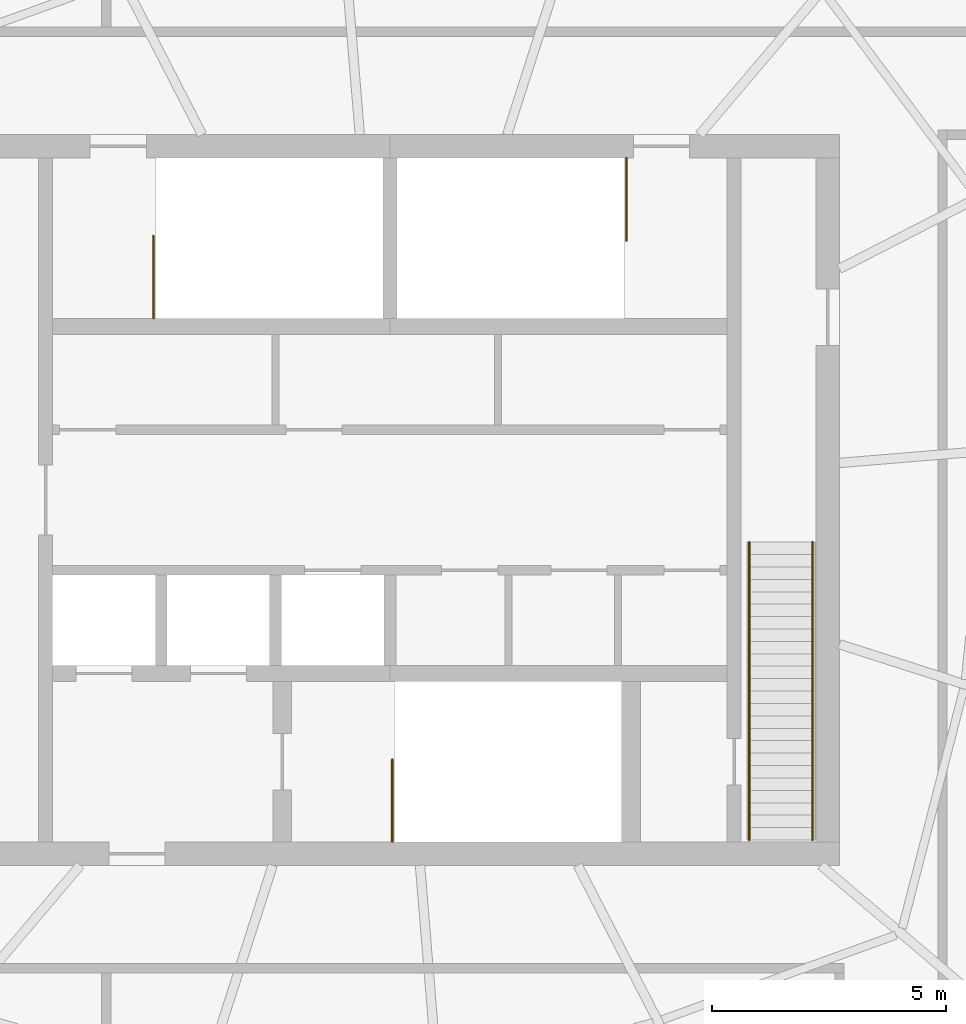
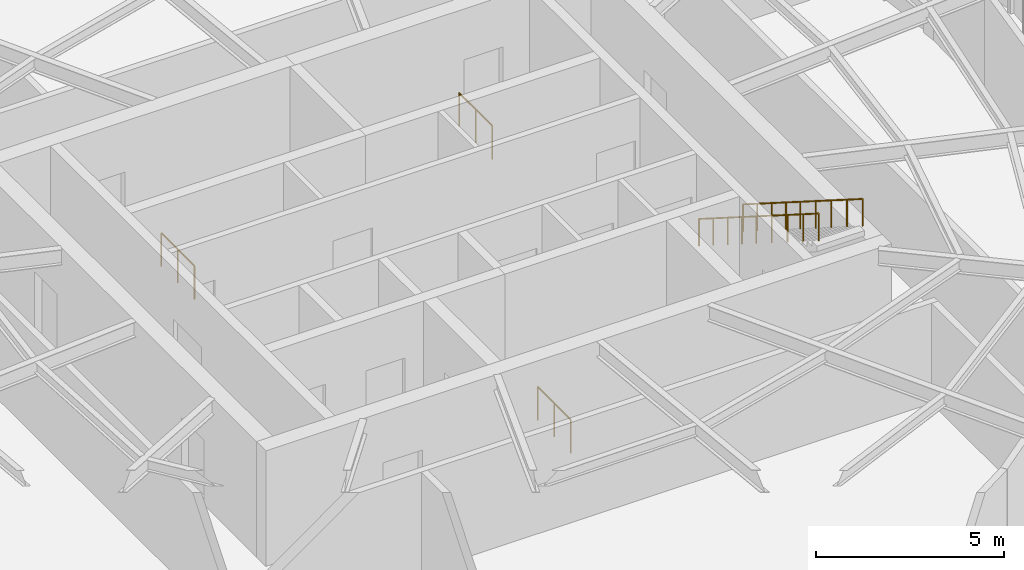
# One storey, part 11 of 11: 7 railings.
"""IFC4 building model written with IfcOpenShell, lengths in metres."""

from ifc_helpers import new_model, si_unit, direction, frame, origin, origin_2d, place, context, subcontext, project, spatial, circle, extrude, material, type_object, element, save


model = new_model("IFC4")

# Units and contexts
model_context = context("Model", 3, precision=1e-05, world=origin(), true_north=direction((0.0, 1.0)))
body_context = subcontext(model_context, "Body", "Model", "MODEL_VIEW")
ifc_project = project(units=[si_unit("LENGTHUNIT", "METRE"), si_unit("AREAUNIT", "SQUARE_METRE"), si_unit("VOLUMEUNIT", "CUBIC_METRE"), si_unit("PLANEANGLEUNIT", "RADIAN"), si_unit("MASSUNIT", "GRAM", prefix="KILO")], contexts=[model_context])

# Site, building, storey
site_placement = place(None, origin())
site = spatial("IfcSite", under=ifc_project, at=site_placement, CompositionType="ELEMENT")
building_placement = place(site_placement, origin())
building = spatial("IfcBuilding", under=site, at=building_placement, Name="Vermilion Reach Broadcast Tower", CompositionType="ELEMENT")
storey_placement = place(building_placement, frame((0.0, 0.0, 325.5)))
storey = spatial("IfcBuildingStorey", under=building, at=storey_placement, Name="L81 CROWN", CompositionType="ELEMENT", Elevation=325.5)

# Railings
ifc_material_1 = material(Name="Stainless steel", Category="steel")
railing_type_1 = type_object("IfcRailingType", Name="Stair guard 1100", PredefinedType="GUARDRAIL", material=ifc_material_1)
railing_1_placement = place(storey_placement, frame((-11.050048828125, 3.8798828125, 0.0)))
element("IfcRailing", 1, at=railing_1_placement, inside=storey, type_object=railing_type_1, Name="L81 CROWN ST1 top well guard 1", PredefinedType="GUARDRAIL", context=body_context, shape_type="SweptSolid", body=[
    extrude(circle(Radius=0.02392578125, at=origin_2d()), frame((0.0, 0.0, 1.076171875), z_axis=(0.0, 1.0, 0.0), x_axis=(-1.0, 0.0, 0.0)), (0.0, 0.0, 1.0), 1.760009765625),
    extrude(circle(Radius=0.02099609375, at=origin_2d()), origin(), (0.0, 0.0, 1.0), 1.052001953125),
    extrude(circle(Radius=0.02099609375, at=origin_2d()), frame((0.0, 0.8798828125, 0.0)), (0.0, 0.0, 1.0), 1.052001953125),
    extrude(circle(Radius=0.02099609375, at=origin_2d()), frame((0.0, 1.760009765625, 0.0)), (0.0, 0.0, 1.0), 1.052001953125),
])
railing_2_placement = place(storey_placement, frame((-0.949951171875, 7.300048828125, 0.0)))
element("IfcRailing", 2, at=railing_2_placement, inside=storey, type_object=railing_type_1, Name="L81 CROWN ST2 top well guard 1", PredefinedType="GUARDRAIL", context=body_context, shape_type="SweptSolid", body=[
    extrude(circle(Radius=0.02392578125, at=origin_2d()), frame((0.0, 0.0, 1.076171875), z_axis=(0.0, -1.0, 0.0), x_axis=(1.0, 0.0, 0.0)), (0.0, 0.0, 1.0), 1.760009765625),
    extrude(circle(Radius=0.02099609375, at=origin_2d()), origin(), (0.0, 0.0, 1.0), 1.052001953125),
    extrude(circle(Radius=0.02099609375, at=origin_2d()), frame((0.0, -0.8798828125, 0.0)), (0.0, 0.0, 1.0), 1.052001953125),
    extrude(circle(Radius=0.02099609375, at=origin_2d()), frame((0.0, -1.760009765625, 0.0)), (0.0, 0.0, 1.0), 1.052001953125),
])
railing_3_placement = place(storey_placement, frame((-5.949951171875, -7.300048828125, 0.0)))
element("IfcRailing", 3, at=railing_3_placement, inside=storey, type_object=railing_type_1, Name="L81 CROWN ST3 top well guard 1", PredefinedType="GUARDRAIL", context=body_context, shape_type="SweptSolid", body=[
    extrude(circle(Radius=0.02392578125, at=origin_2d()), frame((0.0, 0.0, 1.076171875), z_axis=(0.0, 1.0, 0.0), x_axis=(-1.0, 0.0, 0.0)), (0.0, 0.0, 1.0), 1.760009765625),
    extrude(circle(Radius=0.02099609375, at=origin_2d()), origin(), (0.0, 0.0, 1.0), 1.052001953125),
    extrude(circle(Radius=0.02099609375, at=origin_2d()), frame((0.0, 0.8798828125, 0.0)), (0.0, 0.0, 1.0), 1.052001953125),
    extrude(circle(Radius=0.02099609375, at=origin_2d()), frame((0.0, 1.760009765625, 0.0)), (0.0, 0.0, 1.0), 1.052001953125),
])
ifc_material_2 = material(Name="Stainless steel", Category="steel")
railing_type_2 = type_object("IfcRailingType", Name="Stair handrail", PredefinedType="HANDRAIL", material=ifc_material_2)
railing_4_placement = place(storey_placement, frame((1.675048828125, -0.89990234375, 0.16796875)))
element("IfcRailing", 4, at=railing_4_placement, inside=storey, type_object=railing_type_2, Name="L81 CROWN roof stair handrail 1", PredefinedType="HANDRAIL", context=body_context, shape_type="SweptSolid", body=[
    extrude(circle(Radius=0.02392578125, at=origin_2d()), frame((0.0, 0.0, 0.8759765625), z_axis=(0.0, -0.844571264412, 0.535443161624), x_axis=(1.0, 0.0, 0.0)), (0.0, 0.0, 1.0), 3.6083984375),
    extrude(circle(Radius=0.02099609375, at=origin_2d()), origin(), (0.0, 0.0, 1.0), 0.851806640625),
    extrude(circle(Radius=0.02099609375, at=origin_2d()), frame((0.0, -0.761962890625, 0.48291015625)), (0.0, 0.0, 1.0), 0.851806640625),
    extrude(circle(Radius=0.02099609375, at=origin_2d()), frame((0.0, -1.52392578125, 0.966064453125)), (0.0, 0.0, 1.0), 0.851806640625),
    extrude(circle(Radius=0.02099609375, at=origin_2d()), frame((0.0, -2.28564453125, 1.44921875)), (0.0, 0.0, 1.0), 0.851806640625),
    extrude(circle(Radius=0.02099609375, at=origin_2d()), frame((0.0, -3.047607421875, 1.93212890625)), (0.0, 0.0, 1.0), 0.851806640625),
])
railing_5_placement = place(storey_placement, frame((1.675048828125, -3.947509765625, 2.10009765625)))
element("IfcRailing", 5, at=railing_5_placement, inside=storey, type_object=railing_type_2, Name="L81 CROWN roof stair handrail 2", PredefinedType="HANDRAIL", context=body_context, shape_type="SweptSolid", body=[
    extrude(circle(Radius=0.02392578125, at=origin_2d()), frame((0.0, 0.0, 0.8759765625), z_axis=(0.0, -0.844595774094, 0.535404499778), x_axis=(1.0, 0.0, 0.0)), (0.0, 0.0, 1.0), 3.921875),
    extrude(circle(Radius=0.02099609375, at=origin_2d()), origin(), (0.0, 0.0, 1.0), 0.851806640625),
    extrude(circle(Radius=0.02099609375, at=origin_2d()), frame((0.0, -0.828125, 0.52490234375)), (0.0, 0.0, 1.0), 0.851806640625),
    extrude(circle(Radius=0.02099609375, at=origin_2d()), frame((0.0, -1.65625, 1.0498046875)), (0.0, 0.0, 1.0), 0.851806640625),
    extrude(circle(Radius=0.02099609375, at=origin_2d()), frame((0.0, -2.484375, 1.574951171875)), (0.0, 0.0, 1.0), 0.851806640625),
    extrude(circle(Radius=0.02099609375, at=origin_2d()), frame((0.0, -3.3125, 2.099853515625)), (0.0, 0.0, 1.0), 0.851806640625),
])
railing_6_placement = place(storey_placement, frame((3.02490234375, -0.89990234375, 0.16796875)))
element("IfcRailing", 6, at=railing_6_placement, inside=storey, type_object=railing_type_2, Name="L81 CROWN roof stair handrail 3", PredefinedType="HANDRAIL", context=body_context, shape_type="SweptSolid", body=[
    extrude(circle(Radius=0.02392578125, at=origin_2d()), frame((0.0, 0.0, 0.8759765625), z_axis=(0.0, -0.844571264412, 0.535443161624), x_axis=(1.0, 0.0, 0.0)), (0.0, 0.0, 1.0), 3.6083984375),
    extrude(circle(Radius=0.02099609375, at=origin_2d()), origin(), (0.0, 0.0, 1.0), 0.851806640625),
    extrude(circle(Radius=0.02099609375, at=origin_2d()), frame((0.0, -0.761962890625, 0.48291015625)), (0.0, 0.0, 1.0), 0.851806640625),
    extrude(circle(Radius=0.02099609375, at=origin_2d()), frame((0.0, -1.52392578125, 0.966064453125)), (0.0, 0.0, 1.0), 0.851806640625),
    extrude(circle(Radius=0.02099609375, at=origin_2d()), frame((0.0, -2.28564453125, 1.44921875)), (0.0, 0.0, 1.0), 0.851806640625),
    extrude(circle(Radius=0.02099609375, at=origin_2d()), frame((0.0, -3.047607421875, 1.93212890625)), (0.0, 0.0, 1.0), 0.851806640625),
])
railing_7_placement = place(storey_placement, frame((3.02490234375, -3.947509765625, 2.10009765625)))
element("IfcRailing", 7, at=railing_7_placement, inside=storey, type_object=railing_type_2, Name="L81 CROWN roof stair handrail 4", PredefinedType="HANDRAIL", context=body_context, shape_type="SweptSolid", body=[
    extrude(circle(Radius=0.02392578125, at=origin_2d()), frame((0.0, 0.0, 0.8759765625), z_axis=(0.0, -0.844595774094, 0.535404499778), x_axis=(1.0, 0.0, 0.0)), (0.0, 0.0, 1.0), 3.921875),
    extrude(circle(Radius=0.02099609375, at=origin_2d()), origin(), (0.0, 0.0, 1.0), 0.851806640625),
    extrude(circle(Radius=0.02099609375, at=origin_2d()), frame((0.0, -0.828125, 0.52490234375)), (0.0, 0.0, 1.0), 0.851806640625),
    extrude(circle(Radius=0.02099609375, at=origin_2d()), frame((0.0, -1.65625, 1.0498046875)), (0.0, 0.0, 1.0), 0.851806640625),
    extrude(circle(Radius=0.02099609375, at=origin_2d()), frame((0.0, -2.484375, 1.574951171875)), (0.0, 0.0, 1.0), 0.851806640625),
    extrude(circle(Radius=0.02099609375, at=origin_2d()), frame((0.0, -3.3125, 2.099853515625)), (0.0, 0.0, 1.0), 0.851806640625),
])

save(model, "model.ifc")
